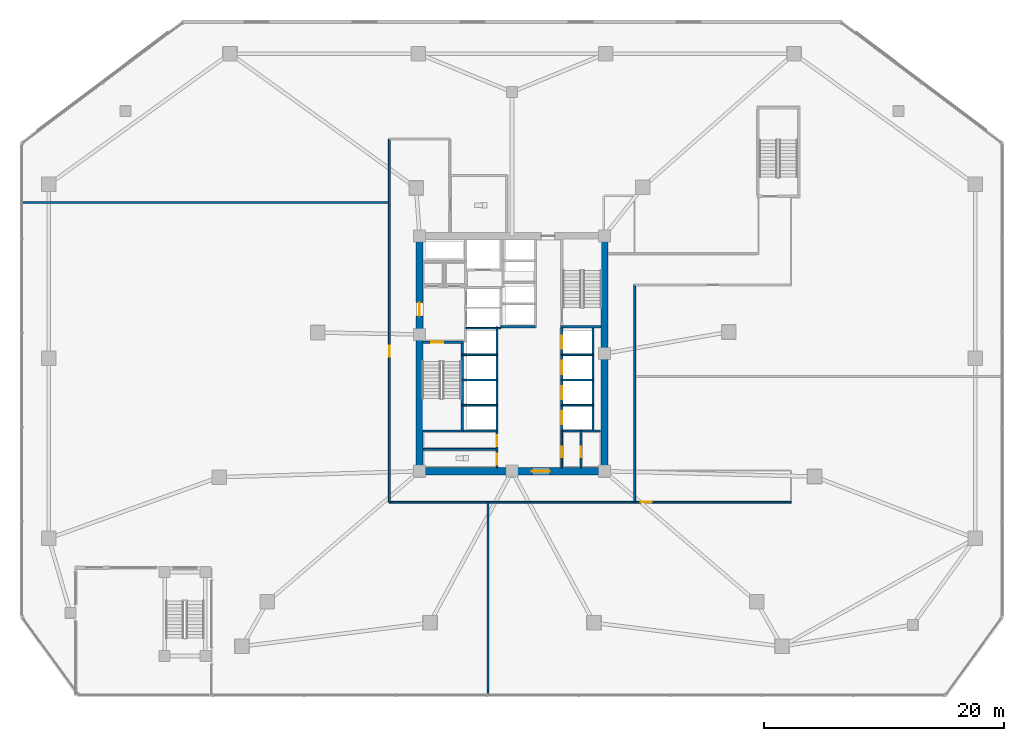
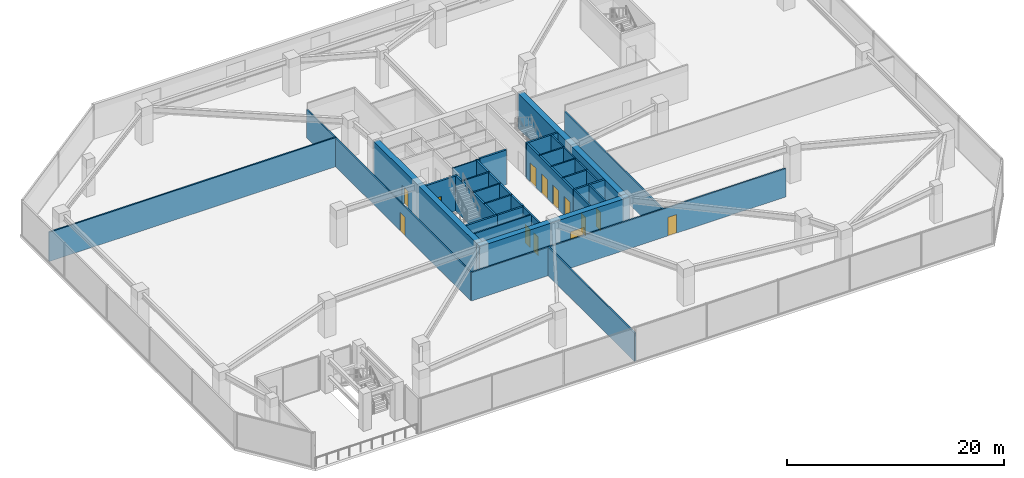
# One storey, part 11 of 21: 29 walls, 13 doors, 13 openings.
"""IFC4 building model written with IfcOpenShell, lengths in metres."""

from ifc_helpers import new_model, si_unit, direction, frame, frame_2d, origin, place, context, subcontext, project, spatial, rectangle, extrude, material, layer, layer_set, type_object, element, fill, save


model = new_model("IFC4")

# Units and contexts
model_context = context("Model", 3, precision=1e-05, world=origin(), true_north=direction((0.0, 1.0)))
body_context = subcontext(model_context, "Body", "Model", "MODEL_VIEW")
ifc_project = project(units=[si_unit("LENGTHUNIT", "METRE"), si_unit("AREAUNIT", "SQUARE_METRE"), si_unit("VOLUMEUNIT", "CUBIC_METRE"), si_unit("PLANEANGLEUNIT", "RADIAN"), si_unit("MASSUNIT", "GRAM", prefix="KILO")], contexts=[model_context])

# Site, building, storey
site_placement = place(None, origin())
site = spatial("IfcSite", under=ifc_project, at=site_placement, CompositionType="ELEMENT")
building_placement = place(site_placement, origin())
building = spatial("IfcBuilding", under=site, at=building_placement, Name="Savorim Split Tower", CompositionType="ELEMENT")
storey_placement = place(building_placement, frame((0.0, 0.0, 9.199951171875)))
storey = spatial("IfcBuildingStorey", under=building, at=storey_placement, Name="L02", CompositionType="ELEMENT", Elevation=9.199951171875)

# Wall, opening, door
ifc_material_1 = material(Name="Concrete C60/75", Category="concrete")
ifc_layer_1 = layer(ifc_material_1, 0.60009765625)
ifc_layer_set_1 = layer_set([ifc_layer_1], Name="WAL-COR-SH600")
wall_type_1 = type_object("IfcWallType", Name="WAL-COR-SH600", PredefinedType="SHEAR", material=ifc_layer_set_1)
wall_1_placement = place(storey_placement, frame((-8.0, -9.39990234375, 0.0), z_axis=(0.0, 0.0, 1.0), x_axis=(1.0, 0.0, 0.0)))
wall_1 = element("IfcWall", 1, at=wall_1_placement, inside=storey, type_object=wall_type_1, Name="L02 Offset Core South Shear Wall", PredefinedType="SHEAR", context=body_context, shape_type="SweptSolid", body=[
    extrude(rectangle(XDim=16.0, YDim=0.60009765625, at=frame_2d((8.0, 0.0))), origin(), (0.0, 0.0, 1.0), 3.920166015625),
])
opening_1_placement = place(wall_1_placement, frame((9.64990234375, 0.0, 0.0)))
opening_1 = element("IfcOpeningElement", 2, at=opening_1_placement, cuts=wall_1, Name="Opening DI-02", PredefinedType="OPENING", context=body_context, shape_type="SweptSolid", body=[
    extrude(rectangle(XDim=1.5, YDim=2.199951171875, at=frame_2d((0.75, 1.10009765625))), frame((0.0, 0.31005859375, 0.0), z_axis=(0.0, -1.0, 0.0), x_axis=(1.0, 0.0, 0.0)), (0.0, 0.0, 1.0), 0.6201171875),
])
ifc_material_2 = material(Name="Timber Fire Door Leaf", Category="wood")
door_type_1 = type_object("IfcDoorType", Name="DOR-DBL-1500", OperationType="NOTDEFINED", PredefinedType="DOOR", material=ifc_material_2)
door_1_placement = place(opening_1_placement, origin())
door_1 = element("IfcDoor", 3, at=door_1_placement, inside=storey, type_object=door_type_1, Name="DOR-L02-COR-LLOB - L02 Lift Lobby Main Rated Door", OperationType="DOUBLE_DOOR_SINGLE_SWING", OverallHeight=2.199951171875, OverallWidth=1.5, PredefinedType="DOOR", context=body_context, shape_type="SweptSolid", body=[
    extrude(rectangle(XDim=1.5, YDim=2.199951171875, at=frame_2d((0.75, 1.10009765625))), frame((0.0, 0.02490234375, 0.0), z_axis=(0.0, -1.0, 0.0), x_axis=(1.0, 0.0, 0.0)), (0.0, 0.0, 1.0), 0.050048828125),
])
fill(opening_1, door_1)

wall_2_placement = place(storey_placement, frame((-7.699951171875, -9.10009765625, 0.0), z_axis=(0.0, 0.0, 1.0), x_axis=(0.0, 1.0, 0.0)))
wall_2 = element("IfcWall", 4, at=wall_2_placement, inside=storey, type_object=wall_type_1, Name="L02 Offset Core West Shear Wall", PredefinedType="SHEAR", context=body_context, shape_type="SweptSolid", body=[
    extrude(rectangle(XDim=19.0, YDim=0.60009765625, at=frame_2d((9.5, 0.0))), origin(), (0.0, 0.0, 1.0), 3.920166015625),
])
opening_2_placement = place(wall_2_placement, frame((12.64990234375, 0.0, 0.0)))
opening_2 = element("IfcOpeningElement", 5, at=opening_2_placement, cuts=wall_2, Name="Opening DI-03", PredefinedType="OPENING", context=body_context, shape_type="SweptSolid", body=[
    extrude(rectangle(XDim=1.10009765625, YDim=2.14990234375, at=frame_2d((0.550048828125, 1.074951171875))), frame((0.0, 0.31005859375, 0.0), z_axis=(0.0, -1.0, 0.0), x_axis=(1.0, 0.0, 0.0)), (0.0, 0.0, 1.0), 0.6201171875),
])
door_type_2 = type_object("IfcDoorType", Name="DOR-FIR-1100", OperationType="NOTDEFINED", PredefinedType="DOOR", material=ifc_material_2)
door_2_placement = place(opening_2_placement, origin())
door_2 = element("IfcDoor", 6, at=door_2_placement, inside=storey, type_object=door_type_2, Name="DOR-L02-COR-FFLOB - L02 Firefighting Lobby Corridor Door", OperationType="SINGLE_SWING_RIGHT", OverallHeight=2.14990234375, OverallWidth=1.10009765625, PredefinedType="DOOR", context=body_context, shape_type="SweptSolid", body=[
    extrude(rectangle(XDim=1.10009765625, YDim=2.14990234375, at=frame_2d((0.550048828125, 1.074951171875))), frame((0.0, 0.02490234375, 0.0), z_axis=(0.0, -1.0, 0.0), x_axis=(1.0, 0.0, 0.0)), (0.0, 0.0, 1.0), 0.050048828125),
])
fill(opening_2, door_2)

# Wall
wall_3_placement = place(storey_placement, frame((7.699951171875, 9.89990234375, 0.0), z_axis=(0.0, 0.0, 1.0), x_axis=(0.0, -1.0, 0.0)))
element("IfcWall", 7, at=wall_3_placement, inside=storey, type_object=wall_type_1, Name="L02 Offset Core East Shear Wall", PredefinedType="SHEAR", context=body_context, shape_type="SweptSolid", body=[
    extrude(rectangle(XDim=19.0, YDim=0.60009765625, at=frame_2d((9.5, 0.0))), origin(), (0.0, 0.0, 1.0), 3.920166015625),
])

# Wall, opening, door
ifc_material_3 = material(Name="Concrete C50/60", Category="concrete")
ifc_layer_2 = layer(ifc_material_3, 0.199951171875)
ifc_layer_set_2 = layer_set([ifc_layer_2], Name="WAL-INT-RC200")
wall_type_2 = type_object("IfcWallType", Name="WAL-INT-RC200", PredefinedType="SOLIDWALL", material=ifc_layer_set_2)
wall_4_placement = place(storey_placement, frame((-7.39990234375, 1.35009765625, 0.0), z_axis=(0.0, 0.0, 1.0), x_axis=(1.0, 0.0, 0.0)))
wall_4 = element("IfcWall", 8, at=wall_4_placement, inside=storey, type_object=wall_type_2, Name="L02 Structural Shaft Wall W-L02-CR01", PredefinedType="SOLIDWALL", context=body_context, shape_type="SweptSolid", body=[
    extrude(rectangle(XDim=3.349853515625, YDim=0.199951171875, at=frame_2d((1.6748046875, 0.0))), origin(), (0.0, 0.0, 1.0), 3.920166015625),
])
opening_3_placement = place(wall_4_placement, frame((0.64990234375, 0.0, 0.0)))
opening_3 = element("IfcOpeningElement", 9, at=opening_3_placement, cuts=wall_4, Name="Opening DI-04", PredefinedType="OPENING", context=body_context, shape_type="SweptSolid", body=[
    extrude(rectangle(XDim=1.0, YDim=2.14990234375, at=frame_2d((0.5, 1.074951171875))), frame((0.0, 0.10986328125, 0.0), z_axis=(0.0, -1.0, 0.0), x_axis=(1.0, 0.0, 0.0)), (0.0, 0.0, 1.0), 0.219970703125),
])
door_type_3 = type_object("IfcDoorType", Name="DOR-FIR-1000", OperationType="NOTDEFINED", PredefinedType="DOOR", material=ifc_material_2)
door_3_placement = place(opening_3_placement, origin())
door_3 = element("IfcDoor", 10, at=door_3_placement, inside=storey, type_object=door_type_3, Name="DR-L02-ST1 - L02 Stair ST-1 Enclosure Door", OperationType="SINGLE_SWING_LEFT", OverallHeight=2.14990234375, OverallWidth=1.0, PredefinedType="DOOR", context=body_context, shape_type="SweptSolid", body=[
    extrude(rectangle(XDim=1.0, YDim=2.14990234375, at=frame_2d((0.5, 1.074951171875))), frame((0.0, 0.02490234375, 0.0), z_axis=(0.0, -1.0, 0.0), x_axis=(1.0, 0.0, 0.0)), (0.0, 0.0, 1.0), 0.050048828125),
])
fill(opening_3, door_3)

# Walls
wall_5_placement = place(storey_placement, frame((-4.14990234375, -5.949951171875, 0.0), z_axis=(0.0, 0.0, 1.0), x_axis=(0.0, 1.0, 0.0)))
element("IfcWall", 11, at=wall_5_placement, inside=storey, type_object=wall_type_2, Name="L02 Structural Shaft Wall W-L02-CR02", PredefinedType="SOLIDWALL", context=body_context, shape_type="SweptSolid", body=[
    extrude(rectangle(XDim=7.199951171875, YDim=0.199951171875, at=frame_2d((3.60009765625, 0.0))), origin(), (0.0, 0.0, 1.0), 3.920166015625),
])
wall_6_placement = place(storey_placement, frame((4.050048828125, 2.64990234375, 0.0), z_axis=(0.0, 0.0, 1.0), x_axis=(1.0, 0.0, 0.0)))
element("IfcWall", 12, at=wall_6_placement, inside=storey, type_object=wall_type_2, Name="L02 Structural Shaft Wall W-L02-CR08", PredefinedType="SOLIDWALL", context=body_context, shape_type="SweptSolid", body=[
    extrude(rectangle(XDim=3.349853515625, YDim=0.199951171875, at=frame_2d((1.6748046875, 0.0))), origin(), (0.0, 0.0, 1.0), 3.920166015625),
])

# Wall, openings, doors
wall_7_placement = place(storey_placement, frame((4.14990234375, -6.050048828125, 0.0), z_axis=(0.0, 0.0, 1.0), x_axis=(0.0, 1.0, 0.0)))
wall_7 = element("IfcWall", 13, at=wall_7_placement, inside=storey, type_object=wall_type_2, Name="L02 Partition W-L02-B1FRONT", PredefinedType="SOLIDWALL", context=body_context, shape_type="SweptSolid", body=[
    extrude(rectangle(XDim=8.699951171875, YDim=0.199951171875, at=frame_2d((4.35009765625, 0.0))), origin(), (0.0, 0.0, 1.0), 3.920166015625),
])
opening_4_placement = place(wall_7_placement, frame((0.550048828125, 0.0, 0.0)))
opening_4 = element("IfcOpeningElement", 14, at=opening_4_placement, cuts=wall_7, Name="Opening LD-01", PredefinedType="OPENING", context=body_context, shape_type="SweptSolid", body=[
    extrude(rectangle(XDim=1.10009765625, YDim=2.14990234375, at=frame_2d((0.550048828125, 1.074951171875))), frame((0.0, 0.10986328125, 0.0), z_axis=(0.0, -1.0, 0.0), x_axis=(1.0, 0.0, 0.0)), (0.0, 0.0, 1.0), 0.219970703125),
])
opening_5_placement = place(wall_7_placement, frame((2.64990234375, 0.0, 0.0)))
opening_5 = element("IfcOpeningElement", 15, at=opening_5_placement, cuts=wall_7, Name="Opening LD-01", PredefinedType="OPENING", context=body_context, shape_type="SweptSolid", body=[
    extrude(rectangle(XDim=1.10009765625, YDim=2.14990234375, at=frame_2d((0.550048828125, 1.074951171875))), frame((0.0, 0.10986328125, 0.0), z_axis=(0.0, -1.0, 0.0), x_axis=(1.0, 0.0, 0.0)), (0.0, 0.0, 1.0), 0.219970703125),
])
opening_6_placement = place(wall_7_placement, frame((4.75, 0.0, 0.0)))
opening_6 = element("IfcOpeningElement", 16, at=opening_6_placement, cuts=wall_7, Name="Opening LD-01", PredefinedType="OPENING", context=body_context, shape_type="SweptSolid", body=[
    extrude(rectangle(XDim=1.10009765625, YDim=2.14990234375, at=frame_2d((0.550048828125, 1.074951171875))), frame((0.0, 0.10986328125, 0.0), z_axis=(0.0, -1.0, 0.0), x_axis=(1.0, 0.0, 0.0)), (0.0, 0.0, 1.0), 0.219970703125),
])
opening_7_placement = place(wall_7_placement, frame((6.85009765625, 0.0, 0.0)))
opening_7 = element("IfcOpeningElement", 17, at=opening_7_placement, cuts=wall_7, Name="Opening LD-01", PredefinedType="OPENING", context=body_context, shape_type="SweptSolid", body=[
    extrude(rectangle(XDim=1.10009765625, YDim=2.14990234375, at=frame_2d((0.550048828125, 1.074951171875))), frame((0.0, 0.10986328125, 0.0), z_axis=(0.0, -1.0, 0.0), x_axis=(1.0, 0.0, 0.0)), (0.0, 0.0, 1.0), 0.219970703125),
])
ifc_material_4 = material(Name="Charcoal Anodised Aluminium", Category="aluminium")
door_type_4 = type_object("IfcDoorType", Name="DOR-SLD-LD1100", OperationType="NOTDEFINED", PredefinedType="DOOR", material=ifc_material_4)
door_4_placement = place(opening_4_placement, origin())
door_4 = element("IfcDoor", 18, at=door_4_placement, inside=storey, type_object=door_type_4, Name="DR-L02-LD-PLL1 - L02 Lift PL-L1 Sliding Landing Door", OperationType="DOUBLE_DOOR_SLIDING", OverallHeight=2.14990234375, OverallWidth=1.10009765625, PredefinedType="DOOR", context=body_context, shape_type="SweptSolid", body=[
    extrude(rectangle(XDim=1.10009765625, YDim=2.14990234375, at=frame_2d((0.550048828125, 1.074951171875))), frame((0.0, 0.02490234375, 0.0), z_axis=(0.0, -1.0, 0.0), x_axis=(1.0, 0.0, 0.0)), (0.0, 0.0, 1.0), 0.050048828125),
])
fill(opening_4, door_4)
door_5_placement = place(opening_5_placement, origin())
door_5 = element("IfcDoor", 19, at=door_5_placement, inside=storey, type_object=door_type_4, Name="DR-L02-LD-PLL2 - L02 Lift PL-L2 Sliding Landing Door", OperationType="DOUBLE_DOOR_SLIDING", OverallHeight=2.14990234375, OverallWidth=1.10009765625, PredefinedType="DOOR", context=body_context, shape_type="SweptSolid", body=[
    extrude(rectangle(XDim=1.10009765625, YDim=2.14990234375, at=frame_2d((0.550048828125, 1.074951171875))), frame((0.0, 0.02490234375, 0.0), z_axis=(0.0, -1.0, 0.0), x_axis=(1.0, 0.0, 0.0)), (0.0, 0.0, 1.0), 0.050048828125),
])
fill(opening_5, door_5)
door_6_placement = place(opening_6_placement, origin())
door_6 = element("IfcDoor", 20, at=door_6_placement, inside=storey, type_object=door_type_4, Name="DR-L02-LD-PLL3 - L02 Lift PL-L3 Sliding Landing Door", OperationType="DOUBLE_DOOR_SLIDING", OverallHeight=2.14990234375, OverallWidth=1.10009765625, PredefinedType="DOOR", context=body_context, shape_type="SweptSolid", body=[
    extrude(rectangle(XDim=1.10009765625, YDim=2.14990234375, at=frame_2d((0.550048828125, 1.074951171875))), frame((0.0, 0.02490234375, 0.0), z_axis=(0.0, -1.0, 0.0), x_axis=(1.0, 0.0, 0.0)), (0.0, 0.0, 1.0), 0.050048828125),
])
fill(opening_6, door_6)
door_7_placement = place(opening_7_placement, origin())
door_7 = element("IfcDoor", 21, at=door_7_placement, inside=storey, type_object=door_type_4, Name="DR-L02-LD-PLL4 - L02 Lift PL-L4 Sliding Landing Door", OperationType="DOUBLE_DOOR_SLIDING", OverallHeight=2.14990234375, OverallWidth=1.10009765625, PredefinedType="DOOR", context=body_context, shape_type="SweptSolid", body=[
    extrude(rectangle(XDim=1.10009765625, YDim=2.14990234375, at=frame_2d((0.550048828125, 1.074951171875))), frame((0.0, 0.02490234375, 0.0), z_axis=(0.0, -1.0, 0.0), x_axis=(1.0, 0.0, 0.0)), (0.0, 0.0, 1.0), 0.050048828125),
])
fill(opening_7, door_7)

# Walls
wall_8_placement = place(storey_placement, frame((-1.25, -6.050048828125, 0.0), z_axis=(0.0, 0.0, 1.0), x_axis=(0.0, 1.0, 0.0)))
element("IfcWall", 22, at=wall_8_placement, inside=storey, type_object=wall_type_2, Name="L02 Partition W-L02-B2FRONT", PredefinedType="SOLIDWALL", context=body_context, shape_type="SweptSolid", body=[
    extrude(rectangle(XDim=8.699951171875, YDim=0.199951171875, at=frame_2d((4.35009765625, 0.0))), origin(), (0.0, 0.0, 1.0), 3.920166015625),
])
wall_9_placement = place(storey_placement, frame((-0.949951171875, 2.64990234375, 0.0), z_axis=(0.0, 0.0, 1.0), x_axis=(1.0, 0.0, 0.0)))
element("IfcWall", 23, at=wall_9_placement, inside=storey, type_object=wall_type_2, Name="L02 Partition W-L02-B3SOUTH", PredefinedType="SOLIDWALL", context=body_context, shape_type="SweptSolid", body=[
    extrude(rectangle(XDim=2.89990234375, YDim=0.199951171875, at=frame_2d((1.449951171875, 0.0))), origin(), (0.0, 0.0, 1.0), 3.920166015625),
])
wall_10_placement = place(storey_placement, frame((-7.39990234375, -6.050048828125, 0.0), z_axis=(0.0, 0.0, 1.0), x_axis=(1.0, 0.0, 0.0)))
element("IfcWall", 24, at=wall_10_placement, inside=storey, type_object=wall_type_2, Name="L02 Structural Shaft Wall W-L02-KSEP-W", PredefinedType="SOLIDWALL", context=body_context, shape_type="SweptSolid", body=[
    extrude(rectangle(XDim=3.349853515625, YDim=0.199951171875, at=frame_2d((1.6748046875, 0.0))), origin(), (0.0, 0.0, 1.0), 3.920166015625),
])
wall_11_placement = place(storey_placement, frame((-4.0400390625, -6.050048828125, 0.0), z_axis=(0.0, 0.0, 1.0), x_axis=(1.0, 0.0, 0.0)))
element("IfcWall", 25, at=wall_11_placement, inside=storey, type_object=wall_type_2, Name="L02 Partition W-L02-KSEP-W2", PredefinedType="SOLIDWALL", context=body_context, shape_type="SweptSolid", body=[
    extrude(rectangle(XDim=2.7900390625, YDim=0.199951171875, at=frame_2d((1.39501953125, 0.0))), origin(), (0.0, 0.0, 1.0), 3.920166015625),
])
wall_12_placement = place(storey_placement, frame((4.14990234375, -6.050048828125, 0.0), z_axis=(0.0, 0.0, 1.0), x_axis=(1.0, 0.0, 0.0)))
element("IfcWall", 26, at=wall_12_placement, inside=storey, type_object=wall_type_2, Name="L02 Partition W-L02-KSEP-E", PredefinedType="SOLIDWALL", context=body_context, shape_type="SweptSolid", body=[
    extrude(rectangle(XDim=3.2451171875, YDim=0.199951171875, at=frame_2d((1.62255859375, 0.0))), origin(), (0.0, 0.0, 1.0), 3.920166015625),
])
ifc_material_5 = material(Name="Acoustic Gypsum Partition Board")
ifc_layer_3 = layer(ifc_material_5, 0.1201171875)
ifc_layer_set_3 = layer_set([ifc_layer_3], Name="WAL-PAR-120")
wall_type_3 = type_object("IfcWallType", Name="WAL-PAR-120", PredefinedType="PARTITIONING", material=ifc_layer_set_3)
wall_13_placement = place(storey_placement, frame((-3.85009765625, 2.52001953125, 0.0), z_axis=(0.0, 0.0, 1.0), x_axis=(1.0, 0.0, 0.0)))
element("IfcWall", 27, at=wall_13_placement, inside=storey, type_object=wall_type_3, Name="L02 Partition W-L02-FFLD0", PredefinedType="PARTITIONING", context=body_context, shape_type="SweptSolid", body=[
    extrude(rectangle(XDim=2.900146484375, YDim=0.1201171875, at=frame_2d((1.4501953125, 0.0))), origin(), (0.0, 0.0, 1.0), 3.920166015625),
])
ifc_layer_4 = layer(ifc_material_5, 0.14990234375)
ifc_layer_set_4 = layer_set([ifc_layer_4], Name="WAL-PAR-150")
wall_type_4 = type_object("IfcWallType", Name="WAL-PAR-150", PredefinedType="PARTITIONING", material=ifc_layer_set_4)
wall_14_placement = place(storey_placement, frame((6.75, -6.050048828125, 0.0), z_axis=(0.0, 0.0, 1.0), x_axis=(0.0, 1.0, 0.0)))
element("IfcWall", 28, at=wall_14_placement, inside=storey, type_object=wall_type_4, Name="L02 Partition W-L02-B1BACK", PredefinedType="PARTITIONING", context=body_context, shape_type="SweptSolid", body=[
    extrude(rectangle(XDim=8.699951171875, YDim=0.14990234375, at=frame_2d((4.35009765625, 0.0))), origin(), (0.0, 0.0, 1.0), 3.920166015625),
])
for number, where, z_axis, x_axis, name in (
    (29, (4.14990234375, -3.89990234375, 0.0), (0.0, 0.0, 1.0), (1.0, 0.0, 0.0), "L02 Partition W-L02-B1DIV1"),
    (30, (4.14990234375, -1.800048828125, 0.0), (0.0, 0.0, 1.0), (1.0, 0.0, 0.0), "L02 Partition W-L02-B1DIV2"),
    (31, (4.14990234375, 0.300048828125, 0.0), (0.0, 0.0, 1.0), (1.0, 0.0, 0.0), "L02 Partition W-L02-B1DIV3"),
):
    element("IfcWall", number, at=place(storey_placement, frame(where, z_axis=z_axis, x_axis=x_axis)), inside=storey, type_object=wall_type_4, Name=name, PredefinedType="PARTITIONING", context=body_context, shape_type="SweptSolid", body=[
        extrude(rectangle(XDim=2.60009765625, YDim=0.14990234375, at=frame_2d((1.300048828125, 0.0))), origin(), (0.0, 0.0, 1.0), 3.920166015625),
    ])
for number, where, z_axis, x_axis, name in (
    (32, (-4.14990234375, -3.89990234375, 0.0), (0.0, 0.0, 1.0), (1.0, 0.0, 0.0), "L02 Partition W-L02-B2DIV1"),
    (33, (-4.14990234375, -1.800048828125, 0.0), (0.0, 0.0, 1.0), (1.0, 0.0, 0.0), "L02 Partition W-L02-B2DIV2"),
    (34, (-4.14990234375, 0.300048828125, 0.0), (0.0, 0.0, 1.0), (1.0, 0.0, 0.0), "L02 Partition W-L02-B2DIV3"),
):
    element("IfcWall", number, at=place(storey_placement, frame(where, z_axis=z_axis, x_axis=x_axis)), inside=storey, type_object=wall_type_4, Name=name, PredefinedType="PARTITIONING", context=body_context, shape_type="SweptSolid", body=[
        extrude(rectangle(XDim=2.89990234375, YDim=0.14990234375, at=frame_2d((1.449951171875, 0.0))), origin(), (0.0, 0.0, 1.0), 3.920166015625),
    ])

# Wall, openings, doors
wall_15_placement = place(storey_placement, frame((-1.25, -9.094970703125, 0.0), z_axis=(0.0, 0.0, 1.0), x_axis=(0.0, 1.0, 0.0)))
wall_15 = element("IfcWall", 35, at=wall_15_placement, inside=storey, type_object=wall_type_4, Name="L02 Partition W-L02-KLOB-W", PredefinedType="PARTITIONING", context=body_context, shape_type="SweptSolid", body=[
    extrude(rectangle(XDim=3.044921875, YDim=0.14990234375, at=frame_2d((1.5224609375, 0.0))), origin(), (0.0, 0.0, 1.0), 3.920166015625),
])
opening_8_placement = place(wall_15_placement, frame((1.794921875, 0.0, 0.0)))
opening_8 = element("IfcOpeningElement", 36, at=opening_8_placement, cuts=wall_15, Name="Opening DI-06", PredefinedType="OPENING", context=body_context, shape_type="SweptSolid", body=[
    extrude(rectangle(XDim=0.89990234375, YDim=2.10009765625, at=frame_2d((0.449951171875, 1.050048828125))), frame((0.0, 0.0849609375, 0.0), z_axis=(0.0, -1.0, 0.0), x_axis=(1.0, 0.0, 0.0)), (0.0, 0.0, 1.0), 0.169921875),
])
opening_9_placement = place(wall_15_placement, frame((0.2451171875, 0.0, 0.0)))
opening_9 = element("IfcOpeningElement", 37, at=opening_9_placement, cuts=wall_15, Name="Opening DI-11", PredefinedType="OPENING", context=body_context, shape_type="SweptSolid", body=[
    extrude(rectangle(XDim=0.89990234375, YDim=2.10009765625, at=frame_2d((0.449951171875, 1.050048828125))), frame((0.0, 0.0849609375, 0.0), z_axis=(0.0, -1.0, 0.0), x_axis=(1.0, 0.0, 0.0)), (0.0, 0.0, 1.0), 0.169921875),
])
door_type_5 = type_object("IfcDoorType", Name="DOR-FIR-900", OperationType="NOTDEFINED", PredefinedType="DOOR", material=ifc_material_2)
door_8_placement = place(opening_8_placement, origin())
door_8 = element("IfcDoor", 38, at=door_8_placement, inside=storey, type_object=door_type_5, Name="DR-L02-K2CLN - L02 Cleaning Store Door", OperationType="SINGLE_SWING_LEFT", OverallHeight=2.10009765625, OverallWidth=0.89990234375, PredefinedType="DOOR", context=body_context, shape_type="SweptSolid", body=[
    extrude(rectangle(XDim=0.89990234375, YDim=2.10009765625, at=frame_2d((0.449951171875, 1.050048828125))), frame((0.0, 0.02490234375, 0.0), z_axis=(0.0, -1.0, 0.0), x_axis=(1.0, 0.0, 0.0)), (0.0, 0.0, 1.0), 0.050048828125),
])
fill(opening_8, door_8)
ifc_material_6 = material(Name="Oak Veneer Acoustic Door")
door_type_6 = type_object("IfcDoorType", Name="DOR-WC-900", OperationType="NOTDEFINED", PredefinedType="DOOR", material=ifc_material_6)
door_9_placement = place(opening_9_placement, origin())
door_9 = element("IfcDoor", 39, at=door_9_placement, inside=storey, type_object=door_type_6, Name="DR-L02-K2WC - L02 Core WC Door", OperationType="SINGLE_SWING_RIGHT", OverallHeight=2.10009765625, OverallWidth=0.89990234375, PredefinedType="DOOR", context=body_context, shape_type="SweptSolid", body=[
    extrude(rectangle(XDim=0.89990234375, YDim=2.10009765625, at=frame_2d((0.449951171875, 1.050048828125))), frame((0.0, 0.02490234375, 0.0), z_axis=(0.0, -1.0, 0.0), x_axis=(1.0, 0.0, 0.0)), (0.0, 0.0, 1.0), 0.050048828125),
])
fill(opening_9, door_9)

# Wall, opening, door
wall_16_placement = place(storey_placement, frame((4.14990234375, -9.094970703125, 0.0), z_axis=(0.0, 0.0, 1.0), x_axis=(0.0, 1.0, 0.0)))
wall_16 = element("IfcWall", 40, at=wall_16_placement, inside=storey, type_object=wall_type_4, Name="L02 Partition W-L02-KLOB-E", PredefinedType="PARTITIONING", context=body_context, shape_type="SweptSolid", body=[
    extrude(rectangle(XDim=3.044921875, YDim=0.14990234375, at=frame_2d((1.5224609375, 0.0))), origin(), (0.0, 0.0, 1.0), 3.920166015625),
])
opening_10_placement = place(wall_16_placement, frame((0.844970703125, 0.0, 0.0)))
opening_10 = element("IfcOpeningElement", 41, at=opening_10_placement, cuts=wall_16, Name="Opening DI-06", PredefinedType="OPENING", context=body_context, shape_type="SweptSolid", body=[
    extrude(rectangle(XDim=0.89990234375, YDim=2.10009765625, at=frame_2d((0.449951171875, 1.050048828125))), frame((0.0, 0.0849609375, 0.0), z_axis=(0.0, -1.0, 0.0), x_axis=(1.0, 0.0, 0.0)), (0.0, 0.0, 1.0), 0.169921875),
])
door_10_placement = place(opening_10_placement, origin())
door_10 = element("IfcDoor", 42, at=door_10_placement, inside=storey, type_object=door_type_5, Name="DR-L02-K2PAN - L02 Vending Pantry Door", OperationType="SINGLE_SWING_LEFT", OverallHeight=2.10009765625, OverallWidth=0.89990234375, PredefinedType="DOOR", context=body_context, shape_type="SweptSolid", body=[
    extrude(rectangle(XDim=0.89990234375, YDim=2.10009765625, at=frame_2d((0.449951171875, 1.050048828125))), frame((0.0, 0.02490234375, 0.0), z_axis=(0.0, -1.0, 0.0), x_axis=(1.0, 0.0, 0.0)), (0.0, 0.0, 1.0), 0.050048828125),
])
fill(opening_10, door_10)

# Wall
wall_17_placement = place(storey_placement, frame((-7.39501953125, -7.580078125, 0.0), z_axis=(0.0, 0.0, 1.0), x_axis=(1.0, 0.0, 0.0)))
element("IfcWall", 43, at=wall_17_placement, inside=storey, type_object=wall_type_4, Name="L02 Partition W-L02-K2H", PredefinedType="PARTITIONING", context=body_context, shape_type="SweptSolid", body=[
    extrude(rectangle(XDim=6.14501953125, YDim=0.14990234375, at=frame_2d((3.072509765625, 0.0))), origin(), (0.0, 0.0, 1.0), 3.920166015625),
])

# Wall, opening, door
wall_18_placement = place(storey_placement, frame((5.75, -9.094970703125, 0.0), z_axis=(0.0, 0.0, 1.0), x_axis=(0.0, 1.0, 0.0)))
wall_18 = element("IfcWall", 44, at=wall_18_placement, inside=storey, type_object=wall_type_4, Name="L02 Partition W-L02-K2E", PredefinedType="PARTITIONING", context=body_context, shape_type="SweptSolid", body=[
    extrude(rectangle(XDim=3.044921875, YDim=0.14990234375, at=frame_2d((1.5224609375, 0.0))), origin(), (0.0, 0.0, 1.0), 3.920166015625),
])
opening_11_placement = place(wall_18_placement, frame((0.844970703125, 0.0, 0.0)))
opening_11 = element("IfcOpeningElement", 45, at=opening_11_placement, cuts=wall_18, Name="Opening DI-06", PredefinedType="OPENING", context=body_context, shape_type="SweptSolid", body=[
    extrude(rectangle(XDim=0.89990234375, YDim=2.10009765625, at=frame_2d((0.449951171875, 1.050048828125))), frame((0.0, 0.0849609375, 0.0), z_axis=(0.0, -1.0, 0.0), x_axis=(1.0, 0.0, 0.0)), (0.0, 0.0, 1.0), 0.169921875),
])
door_11_placement = place(opening_11_placement, origin())
door_11 = element("IfcDoor", 46, at=door_11_placement, inside=storey, type_object=door_type_5, Name="DR-L02-K2REF - L02 Recycling Room Door", OperationType="SINGLE_SWING_RIGHT", OverallHeight=2.10009765625, OverallWidth=0.89990234375, PredefinedType="DOOR", context=body_context, shape_type="SweptSolid", body=[
    extrude(rectangle(XDim=0.89990234375, YDim=2.10009765625, at=frame_2d((0.449951171875, 1.050048828125))), frame((0.0, 0.02490234375, 0.0), z_axis=(0.0, -1.0, 0.0), x_axis=(1.0, 0.0, 0.0)), (0.0, 0.0, 1.0), 0.050048828125),
])
fill(opening_11, door_11)

wall_19_placement = place(storey_placement, frame((-10.219970703125, -11.97998046875, 0.0), z_axis=(0.0, 0.0, 1.0), x_axis=(1.0, 0.0, 0.0)))
wall_19 = element("IfcWall", 47, at=wall_19_placement, inside=storey, type_object=wall_type_4, Name="L02 Partition W-L02-PCS", PredefinedType="PARTITIONING", context=body_context, shape_type="SweptSolid", body=[
    extrude(rectangle(XDim=33.5, YDim=0.14990234375, at=frame_2d((16.75, 0.0))), origin(), (0.0, 0.0, 1.0), 3.195068359375),
])
opening_12_placement = place(wall_19_placement, frame((20.946044921875, 0.0, 0.0)))
opening_12 = element("IfcOpeningElement", 48, at=opening_12_placement, cuts=wall_19, Name="Opening DI-06", PredefinedType="OPENING", context=body_context, shape_type="SweptSolid", body=[
    extrude(rectangle(XDim=0.89990234375, YDim=2.10009765625, at=frame_2d((0.449951171875, 1.050048828125))), frame((0.0, 0.0849609375, 0.0), z_axis=(0.0, -1.0, 0.0), x_axis=(1.0, 0.0, 0.0)), (0.0, 0.0, 1.0), 0.169921875),
])
door_12_placement = place(opening_12_placement, origin())
door_12 = element("IfcDoor", 49, at=door_12_placement, inside=storey, type_object=door_type_5, Name="DR-L02-RM03 - L02 Co-Working Commons Entry Door", OperationType="SINGLE_SWING_RIGHT", OverallHeight=2.10009765625, OverallWidth=0.89990234375, PredefinedType="DOOR", context=body_context, shape_type="SweptSolid", body=[
    extrude(rectangle(XDim=0.89990234375, YDim=2.10009765625, at=frame_2d((0.449951171875, 1.050048828125))), frame((0.0, 0.02490234375, 0.0), z_axis=(0.0, -1.0, 0.0), x_axis=(1.0, 0.0, 0.0)), (0.0, 0.0, 1.0), 0.050048828125),
])
fill(opening_12, door_12)

wall_20_placement = place(storey_placement, frame((-10.219970703125, -11.97998046875, 0.0), z_axis=(0.0, 0.0, 1.0), x_axis=(0.0, 1.0, 0.0)))
wall_20 = element("IfcWall", 50, at=wall_20_placement, inside=storey, type_object=wall_type_4, Name="L02 Partition W-L02-PCW", PredefinedType="PARTITIONING", context=body_context, shape_type="SweptSolid", body=[
    extrude(rectangle(XDim=30.260009765625, YDim=0.14990234375, at=frame_2d((15.1298828125, 0.0))), origin(), (0.0, 0.0, 1.0), 3.195068359375),
])
opening_13_placement = place(wall_20_placement, frame((12.1240234375, 0.0, 0.0)))
opening_13 = element("IfcOpeningElement", 51, at=opening_13_placement, cuts=wall_20, Name="Opening DI-06", PredefinedType="OPENING", context=body_context, shape_type="SweptSolid", body=[
    extrude(rectangle(XDim=0.89990234375, YDim=2.10009765625, at=frame_2d((0.449951171875, 1.050048828125))), frame((0.0, 0.0849609375, 0.0), z_axis=(0.0, -1.0, 0.0), x_axis=(1.0, 0.0, 0.0)), (0.0, 0.0, 1.0), 0.169921875),
])
door_13_placement = place(opening_13_placement, origin())
door_13 = element("IfcDoor", 52, at=door_13_placement, inside=storey, type_object=door_type_5, Name="DR-L02-RM02 - L02 Maker Workshop Entry Door", OperationType="SINGLE_SWING_LEFT", OverallHeight=2.10009765625, OverallWidth=0.89990234375, PredefinedType="DOOR", context=body_context, shape_type="SweptSolid", body=[
    extrude(rectangle(XDim=0.89990234375, YDim=2.10009765625, at=frame_2d((0.449951171875, 1.050048828125))), frame((0.0, 0.02490234375, 0.0), z_axis=(0.0, -1.0, 0.0), x_axis=(1.0, 0.0, 0.0)), (0.0, 0.0, 1.0), 0.050048828125),
])
fill(opening_13, door_13)

# Walls
wall_21_placement = place(storey_placement, frame((10.219970703125, -11.97998046875, 0.0), z_axis=(0.0, 0.0, 1.0), x_axis=(0.0, 1.0, 0.0)))
element("IfcWall", 53, at=wall_21_placement, inside=storey, type_object=wall_type_4, Name="L02 Partition W-L02-PCE", PredefinedType="PARTITIONING", context=body_context, shape_type="SweptSolid", body=[
    extrude(rectangle(XDim=18.10009765625, YDim=0.14990234375, at=frame_2d((9.050048828125, 0.0))), origin(), (0.0, 0.0, 1.0), 3.195068359375),
])
wall_22_placement = place(storey_placement, frame((-2.0, -28.02001953125, 0.0), z_axis=(0.0, 0.0, 1.0), x_axis=(0.0, 1.0, 0.0)))
element("IfcWall", 54, at=wall_22_placement, inside=storey, type_object=wall_type_4, Name="L02 Partition W-L02-PD1", PredefinedType="PARTITIONING", context=body_context, shape_type="SweptSolid", body=[
    extrude(rectangle(XDim=16.0400390625, YDim=0.14990234375, at=frame_2d((8.02001953125, 0.0))), origin(), (0.0, 0.0, 1.0), 3.195068359375),
])
wall_23_placement = place(storey_placement, frame((-40.820068359375, 13.0, 0.0), z_axis=(0.0, 0.0, 1.0), x_axis=(1.0, 0.0, 0.0)))
element("IfcWall", 55, at=wall_23_placement, inside=storey, type_object=wall_type_4, Name="L02 Partition W-L02-PD4", PredefinedType="PARTITIONING", context=body_context, shape_type="SweptSolid", body=[
    extrude(rectangle(XDim=30.60009765625, YDim=0.14990234375, at=frame_2d((15.300048828125, 0.0))), origin(), (0.0, 0.0, 1.0), 3.304931640625),
])

save(model, "model.ifc")
